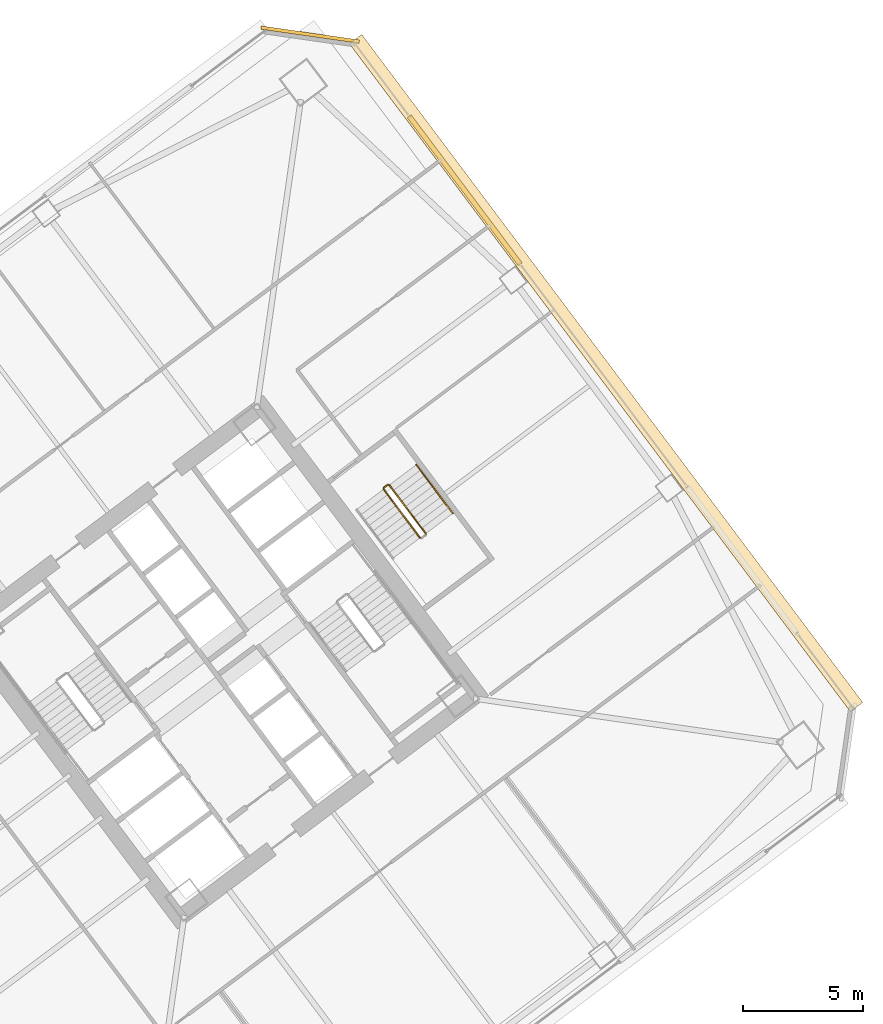
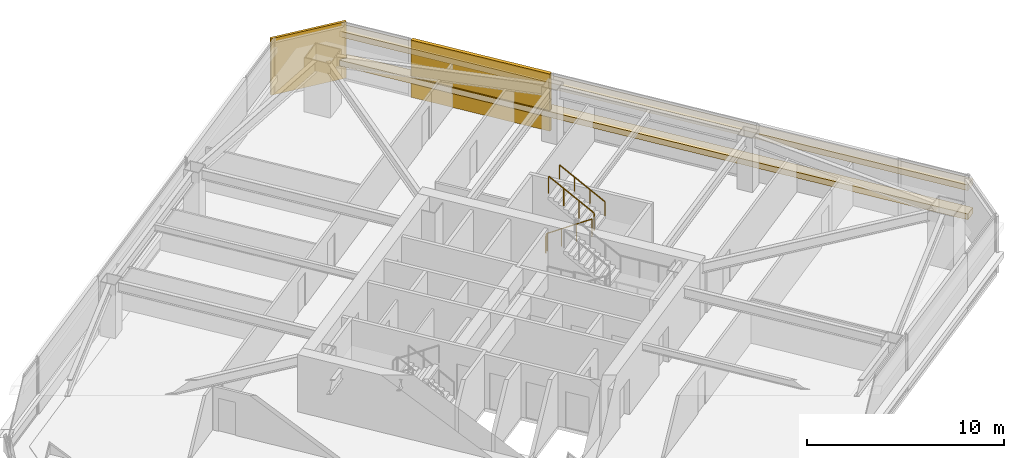
# One storey, part 44 of 44: 4 coverings, 4 railings.
"""IFC4 building model written with IfcOpenShell, lengths in metres."""

from ifc_helpers import new_model, si_unit, direction, frame, origin, origin_2d, place, context, subcontext, project, spatial, rectangle, extrude, material, layer, layer_set, type_object, element, save


model = new_model("IFC4")

# Units and contexts
model_context = context("Model", 3, precision=1e-05, world=origin(), true_north=direction((0.0, 1.0)))
body_context = subcontext(model_context, "Body", "Model", "MODEL_VIEW")
ifc_project = project(units=[si_unit("LENGTHUNIT", "METRE"), si_unit("AREAUNIT", "SQUARE_METRE"), si_unit("VOLUMEUNIT", "CUBIC_METRE"), si_unit("PLANEANGLEUNIT", "RADIAN"), si_unit("MASSUNIT", "GRAM", prefix="KILO")], contexts=[model_context])

# Site, building, storey
site_placement = place(None, origin())
site = spatial("IfcSite", under=ifc_project, at=site_placement, CompositionType="ELEMENT")
building_placement = place(site_placement, origin())
building = spatial("IfcBuilding", under=site, at=building_placement, Name="Tashvorn Skyway Center", CompositionType="ELEMENT")
storey_placement = place(building_placement, frame((0.0, 0.0, 84.949951171875)))
storey = spatial("IfcBuildingStorey", under=building, at=storey_placement, Name="L22", CompositionType="ELEMENT", Elevation=84.949951171875)

# Coverings
ifc_material_1 = material(Name="Precast concrete C40/50", Category="concrete")
ifc_layer_1 = layer(ifc_material_1, 0.199951171875)
ifc_layer_set_1 = layer_set([ifc_layer_1], Name="Precast concrete C40/50")
covering_type_1 = type_object("IfcCoveringType", Name="COV-BRACE-CLAD", PredefinedType="CLADDING", material=ifc_layer_set_1)
covering_1_placement = place(storey_placement, frame((124.14404296875, 51.60791015625, 0.0), z_axis=(0.0, 0.0, 1.0), x_axis=(0.600000004945, -0.799999996291, 0.0)))
element("IfcCovering", 1, at=covering_1_placement, inside=storey, type_object=covering_type_1, Name="Tower 2 L22 East Unitised Curtain Wall Mega-Brace Cladding Band 1", PredefinedType="CLADDING", context=body_context, shape_type="SweptSolid", body=[
    extrude(rectangle(XDim=7.679931640625, YDim=0.199951171875, at=origin_2d()), origin(), (0.0, 0.0, 1.0), 3.550048828125),
])
ifc_material_2 = material(Name="Perforated ceramic-coated bronze aluminium solar screen", Category="aluminium")
ifc_layer_2 = layer(ifc_material_2, 0.85009765625)
ifc_layer_set_2 = layer_set([ifc_layer_2], Name="Perforated ceramic-coated bronze aluminium solar screen")
covering_type_2 = type_object("IfcCoveringType", Name="COV-SOLAR-BAND", PredefinedType="CLADDING", material=ifc_layer_set_2)
for number, where, z_axis, x_axis, name in (
    (2, (130.01611328125, 44.011962890625, 0.919921875), (0.0, 0.0, 1.0), (0.600000004945, -0.799999996291, 0.0), "L22 Perforated Ceramic-Metal Solar Screen Louvre Band East 1"),
    (3, (130.01611328125, 44.011962890625, 2.72021484375), (0.0, 0.0, 1.0), (0.600000004945, -0.799999996291, 0.0), "L22 Perforated Ceramic-Metal Solar Screen Louvre Band East 2"),
):
    element("IfcCovering", number, at=place(storey_placement, frame(where, z_axis=z_axis, x_axis=x_axis)), inside=storey, type_object=covering_type_2, Name=name, PredefinedType="CLADDING", context=body_context, shape_type="SweptSolid", body=[
        extrude(rectangle(XDim=34.679931640625, YDim=0.639892578125, at=origin_2d()), origin(), (0.0, 0.0, 1.0), 0.360107421875),
    ])
ifc_layer_3 = layer(ifc_material_1, 0.35009765625)
ifc_layer_set_3 = layer_set([ifc_layer_3], Name="Precast concrete C40/50")
covering_type_3 = type_object("IfcCoveringType", Name="COV-STONE-TRIM", PredefinedType="CLADDING", material=ifc_layer_set_3)
covering_2_placement = place(storey_placement, frame((117.72412109375, 58.068115234375, 0.02001953125), z_axis=(0.0, 0.0, 1.0), x_axis=(0.989949494535, -0.141421350118, 0.0)))
element("IfcCovering", 4, at=covering_2_placement, inside=storey, type_object=covering_type_3, Name="Tower 2 L22 NE Mojave Limestone Corner Quoin", PredefinedType="CLADDING", context=body_context, shape_type="SweptSolid", body=[
    extrude(rectangle(XDim=4.119873046875, YDim=0.139892578125, at=origin_2d()), origin(), (0.0, 0.0, 1.0), 3.510009765625),
])

# Railings
ifc_material_3 = material(Name="Brushed stainless steel 316", Category="steel")
railing_type_1 = type_object("IfcRailingType", Name="RAIL-HAND-920", PredefinedType="HANDRAIL", material=ifc_material_3)
railing_1_placement = place(storey_placement, frame((123.64794921875, 38.18603515625, 1.95263671875)))
element("IfcRailing", 5, at=railing_1_placement, inside=storey, type_object=railing_type_1, Name="L22 ST-T2-3 stair handrail 2", PredefinedType="HANDRAIL", context=body_context, shape_type="SweptSolid", body=[
    extrude(rectangle(XDim=0.048095703125, YDim=0.048095703125, at=origin_2d()), frame((0.0, 0.0, 0.8759765625), z_axis=(-0.506768818287, 0.675664481285, 0.535409071218), x_axis=(-0.79998837352, -0.60001550166, 0.0)), (0.0, 0.0, 1.0), 2.983642578125),
    extrude(rectangle(XDim=0.0419921875, YDim=0.0419921875, at=origin_2d()), origin(), (0.0, 0.0, 1.0), 0.851806640625),
    extrude(rectangle(XDim=0.0419921875, YDim=0.0419921875, at=origin_2d()), frame((-0.50390625, 0.671875, 0.532470703125)), (0.0, 0.0, 1.0), 0.851806640625),
    extrude(rectangle(XDim=0.0419921875, YDim=0.0419921875, at=origin_2d()), frame((-1.008056640625, 1.343994140625, 1.06494140625)), (0.0, 0.0, 1.0), 0.851806640625),
    extrude(rectangle(XDim=0.0419921875, YDim=0.0419921875, at=origin_2d()), frame((-1.511962890625, 2.015869140625, 1.597412109375)), (0.0, 0.0, 1.0), 0.851806640625),
])
ifc_material_4 = material(Name="Painted galvanized steel S355", Category="steel")
railing_type_2 = type_object("IfcRailingType", Name="RAIL-STGUARD-1100", PredefinedType="GUARDRAIL", material=ifc_material_4)
railing_2_placement = place(storey_placement, frame((120.77587890625, 39.181884765625, 0.177490234375)))
element("IfcRailing", 6, at=railing_2_placement, inside=storey, type_object=railing_type_2, Name="L22 ST-T2-3 stair guard 1", PredefinedType="GUARDRAIL", context=body_context, shape_type="SweptSolid", body=[
    extrude(rectangle(XDim=0.048095703125, YDim=0.048095703125, at=origin_2d()), frame((0.0, 0.0, 1.076171875), z_axis=(0.506807425148, -0.675606863004, 0.535445235739), x_axis=(0.799941867976, 0.600077501544, 0.0)), (0.0, 0.0, 1.0), 2.98388671875),
    extrude(rectangle(XDim=0.0419921875, YDim=0.0419921875, at=origin_2d()), origin(), (0.0, 0.0, 1.0), 1.052001953125),
    extrude(rectangle(XDim=0.0419921875, YDim=0.0419921875, at=origin_2d()), frame((0.504150390625, -0.671875, 0.532470703125)), (0.0, 0.0, 1.0), 1.052001953125),
    extrude(rectangle(XDim=0.0419921875, YDim=0.0419921875, at=origin_2d()), frame((1.008056640625, -1.343994140625, 1.065185546875)), (0.0, 0.0, 1.0), 1.052001953125),
    extrude(rectangle(XDim=0.0419921875, YDim=0.0419921875, at=origin_2d()), frame((1.51220703125, -2.015869140625, 1.59765625)), (0.0, 0.0, 1.0), 1.052001953125),
])
railing_3_placement = place(storey_placement, frame((122.528076171875, 37.345947265625, 1.95263671875)))
element("IfcRailing", 7, at=railing_3_placement, inside=storey, type_object=railing_type_2, Name="L22 ST-T2-3 stair guard 3", PredefinedType="GUARDRAIL", context=body_context, shape_type="SweptSolid", body=[
    extrude(rectangle(XDim=0.048095703125, YDim=0.048095703125, at=origin_2d()), frame((0.0, 0.0, 1.076171875), z_axis=(-0.506740800098, 0.675708949977, 0.535379469569), x_axis=(-0.800023250257, -0.599968998406, 0.0)), (0.0, 0.0, 1.0), 2.983642578125),
    extrude(rectangle(XDim=0.0419921875, YDim=0.0419921875, at=origin_2d()), origin(), (0.0, 0.0, 1.0), 1.052001953125),
    extrude(rectangle(XDim=0.0419921875, YDim=0.0419921875, at=origin_2d()), frame((-0.50390625, 0.672119140625, 0.532470703125)), (0.0, 0.0, 1.0), 1.052001953125),
    extrude(rectangle(XDim=0.0419921875, YDim=0.0419921875, at=origin_2d()), frame((-1.008056640625, 1.343994140625, 1.06494140625)), (0.0, 0.0, 1.0), 1.052001953125),
    extrude(rectangle(XDim=0.0419921875, YDim=0.0419921875, at=origin_2d()), frame((-1.511962890625, 2.01611328125, 1.597412109375)), (0.0, 0.0, 1.0), 1.052001953125),
])
railing_4_placement = place(storey_placement, frame((120.785888671875, 39.251953125, 0.0)))
element("IfcRailing", 8, at=railing_4_placement, inside=storey, type_object=railing_type_2, Name="L22 ST-T2-3 stair guard 4", PredefinedType="GUARDRAIL", context=body_context, shape_type="SweptSolid", body=[
    extrude(rectangle(XDim=0.048095703125, YDim=0.048095703125, at=origin_2d()), frame((0.0, 0.0, 1.076171875), z_axis=(0.8, 0.6, 0.0), x_axis=(-0.6, 0.8, 0.0)), (0.0, 0.0, 1.0), 0.2001953125),
    extrude(rectangle(XDim=0.0419921875, YDim=0.0419921875, at=origin_2d()), origin(), (0.0, 0.0, 1.0), 1.052001953125),
    extrude(rectangle(XDim=0.0419921875, YDim=0.0419921875, at=origin_2d()), frame((0.16015625, 0.1201171875, 0.0)), (0.0, 0.0, 1.0), 1.052001953125),
])

save(model, "model.ifc")
